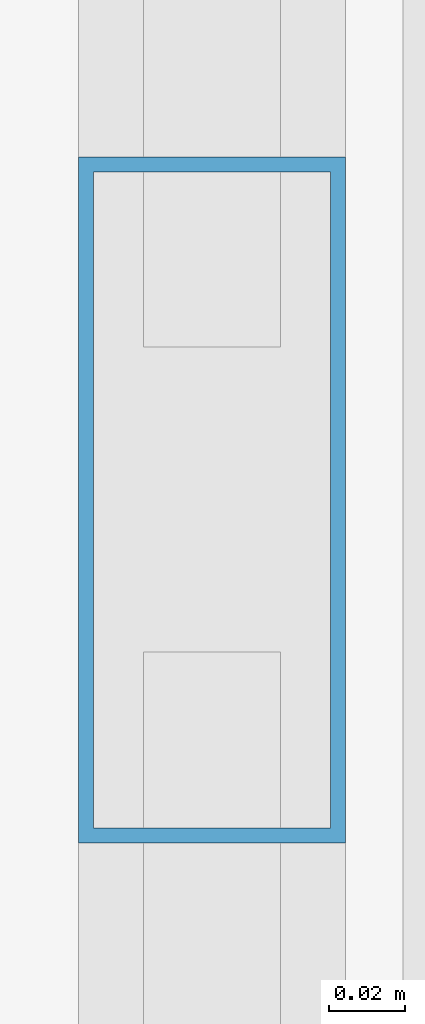
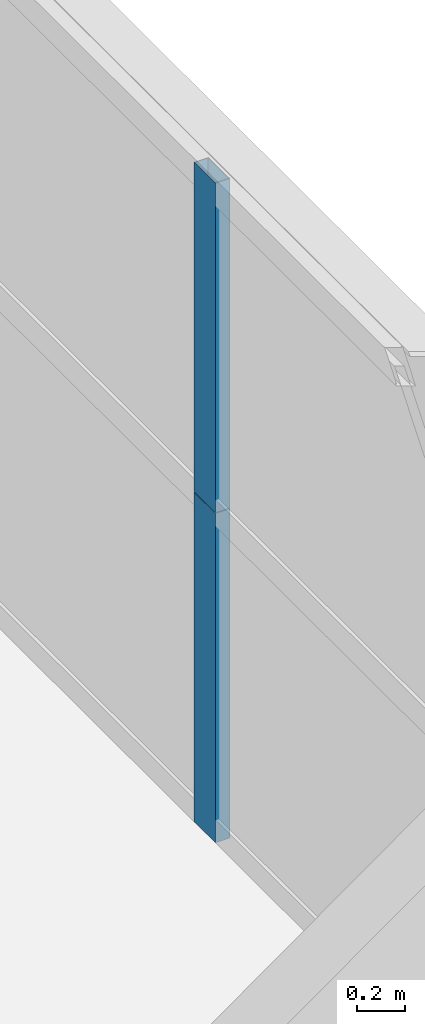
# One storey, part 33 of 45: 2 members, 1 element without a shape of its own.
"""IFC4 building model written with IfcOpenShell, lengths in metres."""

from ifc_helpers import new_model, si_unit, direction, frame, origin, origin_2d, place, context, subcontext, project, spatial, hollow_rectangle, extrude, source, transform, mapped, material, layer, layer_set, material_profile, profile_set, type_object, element, aggregate, save


model = new_model("IFC4")

# Units and contexts
model_context = context("Model", 3, precision=1e-05, world=origin(), true_north=direction((0.0, 1.0)))
body_context = subcontext(model_context, "Body", "Model", "MODEL_VIEW")
ifc_project = project(units=[si_unit("LENGTHUNIT", "METRE"), si_unit("AREAUNIT", "SQUARE_METRE"), si_unit("VOLUMEUNIT", "CUBIC_METRE"), si_unit("PLANEANGLEUNIT", "RADIAN"), si_unit("MASSUNIT", "GRAM", prefix="KILO"), si_unit("THERMODYNAMICTEMPERATUREUNIT", "KELVIN"), si_unit("POWERUNIT", "WATT")], contexts=[model_context])

# Site, building, storey
site_placement = place(None, origin())
site = spatial("IfcSite", under=ifc_project, at=site_placement, CompositionType="ELEMENT")
building_placement = place(site_placement, origin())
building = spatial("IfcBuilding", under=site, at=building_placement, Name="Yuzanri Waterfront Tower", CompositionType="ELEMENT")
storey_placement = place(building_placement, frame((0.0, 0.0, 49.60009765625)))
storey = spatial("IfcBuildingStorey", under=building, at=storey_placement, Name="L12", CompositionType="ELEMENT", Elevation=49.60009765625)

# Curtain wall, members
ifc_material_1 = material(Name="Anodized Architectural Bronze", Category="metal")
ifc_layer = layer(ifc_material_1, 0.159912109375)
ifc_layer_set = layer_set([ifc_layer], Name="Anodized Architectural Bronze")
curtain_wall_type = type_object("IfcCurtainWallType", Name="Anodized Bronze Hotel Lower-Tier Recessed Unitized Curtain Wall 8100", PredefinedType="NOTDEFINED", material=ifc_layer_set)
curtain_wall_placement = place(storey_placement, origin())
curtain_wall = element("IfcCurtainWall", 1, at=curtain_wall_placement, inside=storey, type_object=curtain_wall_type, Name="L12 Curtain Wall CW-L12-ER", PredefinedType="NOTDEFINED")
ifc_material_2 = material(Name="Anodized Architectural Bronze", Category="metal")
ifc_material_profile = material_profile(ifc_material_2, hollow_rectangle(XDim=0.070068359375, YDim=0.179931640625, WallThickness=0.00390625, at=origin_2d()), Name="CWM 70x180")
ifc_profile_set = profile_set([ifc_material_profile], Name="Anodized Architectural Bronze")
member_type = type_object("IfcMemberType", Name="Anodized Bronze Standard Curtain-Wall Mullion 70x180", PredefinedType="MULLION", material=ifc_profile_set)
shared_shape = source(origin(), body_context, "Body", "SweptSolid", [
    extrude(hollow_rectangle(XDim=0.070068359375, YDim=0.179931640625, WallThickness=0.00390625, at=origin_2d()), origin(), (0.0, 0.0, 1.0), 1.68798828125),
])
member_1_placement = place(storey_placement, frame((61.949951171875, 34.89990234375, 0.0), z_axis=(0.0, 0.0, 1.0), x_axis=(1.0, 0.0, 0.0)))
member_1 = element("IfcMember", 2, at=member_1_placement, type_object=member_type, Name="CW-L12-ER Lower Mullion 01", PredefinedType="MULLION", context=body_context, shape_type="MappedRepresentation", body=[
    mapped(shared_shape, transform((0.0, 0.0, 0.0), scale=1.0)),
])
member_2_placement = place(storey_placement, frame((61.949951171875, 34.89990234375, 1.69189453125), z_axis=(0.0, 0.0, 1.0), x_axis=(1.0, 0.0, 0.0)))
member_2 = element("IfcMember", 3, at=member_2_placement, type_object=member_type, Name="CW-L12-ER Upper Mullion 01", PredefinedType="MULLION", context=body_context, shape_type="MappedRepresentation", body=[
    mapped(shared_shape, transform((0.0, 0.0, 0.0), scale=1.0)),
])
aggregate(curtain_wall, [member_1, member_2])

save(model, "model.ifc")
